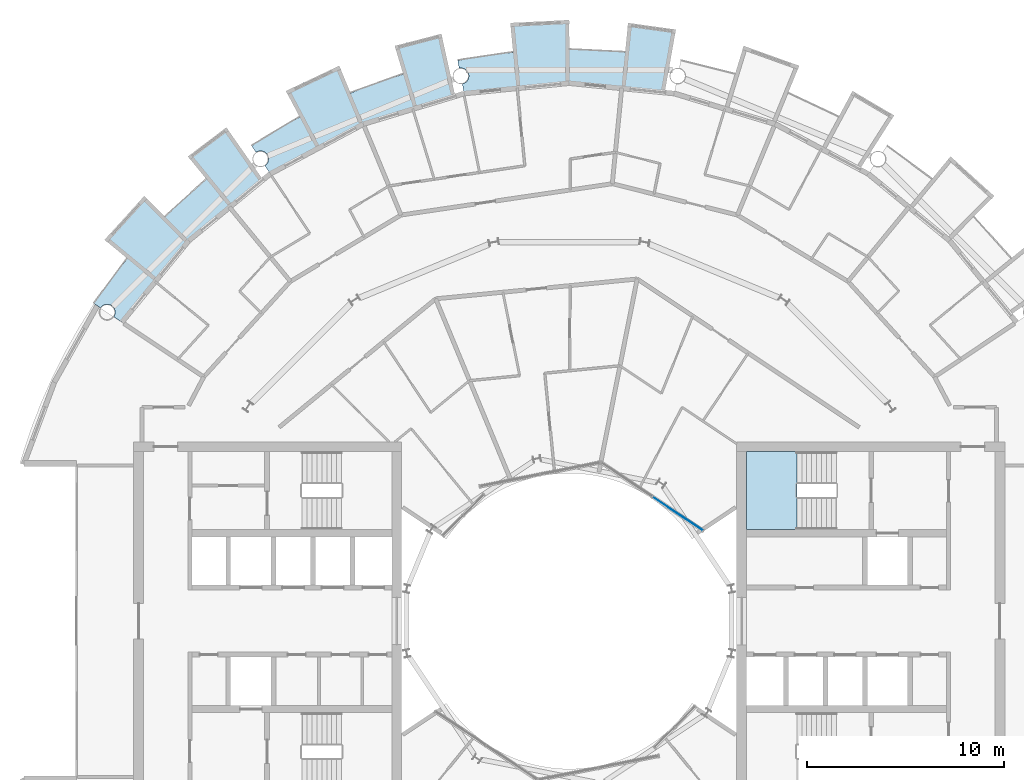
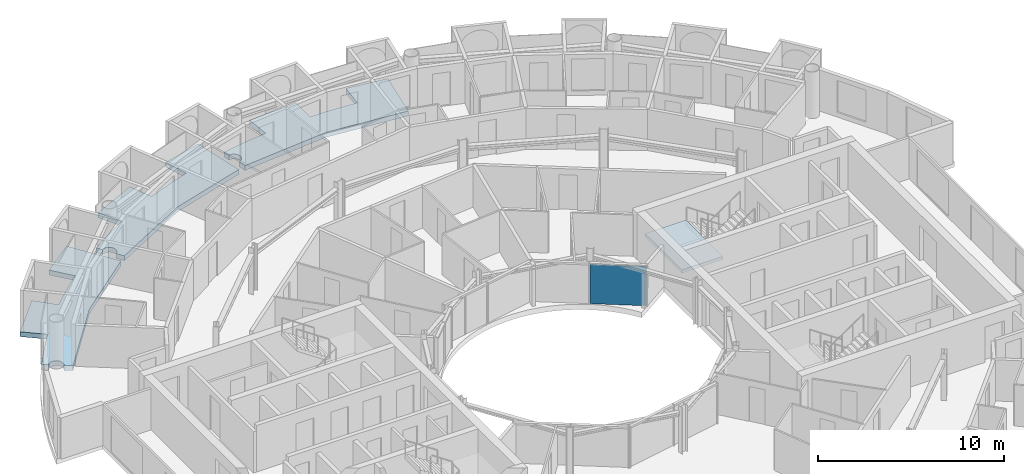
# One storey, part 12 of 27: 4 slabs, 1 plate, 2 elements without a shape of their own.
"""IFC4 building model written with IfcOpenShell, lengths in metres."""

from ifc_helpers import new_model, si_unit, direction, frame, origin, origin_2d, place, context, subcontext, project, spatial, polyline, rectangle, outline, extrude, material, layer, layer_set, type_object, element, aggregate, save


model = new_model("IFC4")

# Units and contexts
model_context = context("Model", 3, precision=1e-05, world=origin(), true_north=direction((0.0, 1.0)))
body_context = subcontext(model_context, "Body", "Model", "MODEL_VIEW")
ifc_project = project(units=[si_unit("LENGTHUNIT", "METRE"), si_unit("AREAUNIT", "SQUARE_METRE"), si_unit("VOLUMEUNIT", "CUBIC_METRE"), si_unit("PLANEANGLEUNIT", "RADIAN"), si_unit("MASSUNIT", "GRAM", prefix="KILO")], contexts=[model_context])

# Site, building, storey
site_placement = place(None, origin())
site = spatial("IfcSite", under=ifc_project, at=site_placement, CompositionType="ELEMENT")
building_placement = place(site_placement, origin())
building = spatial("IfcBuilding", under=site, at=building_placement, Name="Maasbend Ring Residences", CompositionType="ELEMENT")
storey_placement = place(building_placement, frame((0.0, 0.0, 145.199951171875)))
storey = spatial("IfcBuildingStorey", under=building, at=storey_placement, Name="L41", CompositionType="ELEMENT", Elevation=145.199951171875)

# Stair, slab
ifc_material_1 = material(Name="Concrete C40/50", Category="concrete")
stair_type = type_object("IfcStairType", Name="CORE STAIR 18 RISERS", PredefinedType="HALF_TURN_STAIR", material=ifc_material_1)
stair_placement = place(storey_placement, origin())
stair = element("IfcStair", 1, at=stair_placement, inside=storey, type_object=stair_type, Name="L41 Exit stair ST-E1", PredefinedType="HALF_TURN_STAIR")
ifc_material_2 = material(Name="Concrete C40/50", Category="concrete")
ifc_layer_1 = layer(ifc_material_2, 0.199951171875)
ifc_layer_set_1 = layer_set([ifc_layer_1], Name="Concrete C40/50")
slab_type_1 = type_object("IfcSlabType", Name="CORE STAIR LANDING 200", PredefinedType="LANDING", material=ifc_layer_set_1)
slab_1_placement = place(storey_placement, frame((0.0, 0.0, 1.324951171875)))
slab_1 = element("IfcSlab", 2, at=slab_1_placement, type_object=slab_type_1, Name="ST-E1 landing 1", PredefinedType="LANDING", context=body_context, shape_type="SweptSolid", body=[
    extrude(outline(polyline([(11.550048828125, 8.60009765625), (9.0, 8.60009765625), (9.0, 4.64990234375), (11.550048828125, 4.64990234375), (11.550048828125, 8.60009765625)])), origin(), (0.0, 0.0, 1.0), 0.2001953125),
])
aggregate(stair, [slab_1])

# Curtain wall, plate
ifc_material_3 = material(Name="Aluminium and clear glass", Category="aluminium")
ifc_layer_2 = layer(ifc_material_3, 0.179931640625)
ifc_layer_set_2 = layer_set([ifc_layer_2], Name="CW-W")
curtain_wall_type = type_object("IfcCurtainWallType", Name="CW-W", PredefinedType="NOTDEFINED", material=ifc_layer_set_2)
curtain_wall_placement = place(storey_placement, origin())
curtain_wall = element("IfcCurtainWall", 3, at=curtain_wall_placement, inside=storey, type_object=curtain_wall_type, Name="Well curtain wall N1", PredefinedType="NOTDEFINED")
ifc_material_4 = material(Name="Glass clear laminated", Category="glass")
ifc_layer_3 = layer(ifc_material_4, 0.031982421875)
ifc_layer_set_3 = layer_set([ifc_layer_3], Name="CWP-W")
plate_type = type_object("IfcPlateType", Name="CWP-W", PredefinedType="CURTAIN_PANEL", material=ifc_layer_set_3)
plate_placement = place(storey_placement, frame((5.51123046875, 5.44580078125, 0.0), z_axis=(0.0, 0.0, 1.0), x_axis=(-0.831469612303, 0.55557023302, 0.0)))
plate = element("IfcPlate", 4, at=plate_placement, type_object=plate_type, Name="Glass panel well face", PredefinedType="CURTAIN_PANEL", context=body_context, shape_type="SweptSolid", body=[
    extrude(rectangle(XDim=3.053955078125, YDim=0.031982421875, at=origin_2d()), origin(), (0.0, 0.0, 1.0), 2.580078125),
])
aggregate(curtain_wall, [plate])

# Slabs
ifc_material_5 = material(Name="Concrete C40/50", Category="concrete")
ifc_layer_4 = layer(ifc_material_5, 0.199951171875)
ifc_layer_set_4 = layer_set([ifc_layer_4], Name="Concrete C40/50")
slab_type_2 = type_object("IfcSlabType", Name="SL-LOGGIA", PredefinedType="FLOOR", material=ifc_layer_set_4)
slab_2_placement = place(storey_placement, frame((0.0, 0.0, -0.349853515625)))
element("IfcSlab", 5, at=slab_2_placement, inside=storey, type_object=slab_type_2, Name="Loggia floor 1", PredefinedType="FLOOR", context=body_context, shape_type="SweptSolid", body=[
    extrude(outline(polyline([(-14.5, 25.114990234375), (-13.6708984375, 25.574951171875), (-13.6708984375, 25.575927734375), (-13.6708984375, 25.575927734375), (-13.6708984375, 25.575927734375), (-13.6708984375, 25.575927734375), (-13.6708984375, 25.575927734375), (-13.6708984375, 25.575927734375), (-13.6708984375, 25.575927734375), (-13.6708984375, 25.575927734375), (-13.6708984375, 25.575927734375), (-13.6708984375, 25.575927734375), (-13.6708984375, 25.575927734375), (-13.6708984375, 25.575927734375), (-13.6708984375, 25.575927734375), (-13.6708984375, 25.575927734375), (-13.6708984375, 25.575927734375), (-13.6708984375, 25.575927734375), (-14.3779296875, 26.89892578125), (-14.3779296875, 26.89892578125), (-14.3779296875, 26.89892578125), (-11.672119140625, 28.177978515625), (-11.672119140625, 28.177978515625), (-11.672119140625, 28.177978515625), (-11.097900390625, 26.79296875), (-11.097900390625, 26.79296875), (-11.097900390625, 26.79296875), (-11.097900390625, 26.79296875), (-11.097900390625, 26.79296875), (-11.097900390625, 26.79296875), (-11.097900390625, 26.79296875), (-11.097900390625, 26.79296875), (-11.097900390625, 26.79296875), (-11.097900390625, 26.79296875), (-11.097900390625, 26.79296875), (-11.097900390625, 26.79296875), (-11.097900390625, 26.79296875), (-11.097900390625, 26.79296875), (-11.096923828125, 26.79296875), (-11.096923828125, 26.79296875), (-11.096923828125, 26.79296875), (-10.215087890625, 27.14111328125), (-10.215087890625, 27.14111328125), (-9.322021484375, 27.4609375), (-9.322021484375, 27.4609375), (-8.4189453125, 27.7509765625), (-8.4189453125, 27.7509765625), (-8.4189453125, 27.7509765625), (-8.4189453125, 27.7509765625), (-8.4189453125, 27.7509765625), (-8.4189453125, 27.7509765625), (-8.41796875, 27.7509765625), (-8.41796875, 27.7509765625), (-8.41796875, 27.7509765625), (-8.41796875, 27.7509765625), (-8.41796875, 27.7509765625), (-8.41796875, 27.751953125), (-8.41796875, 27.751953125), (-8.41796875, 27.751953125), (-8.41796875, 27.751953125), (-8.41796875, 27.751953125), (-8.41796875, 27.751953125), (-8.85400390625, 29.18701171875), (-8.85400390625, 29.18701171875), (-8.85400390625, 29.18701171875), (-6.487060546875, 29.802001953125), (-6.487060546875, 29.802001953125), (-6.487060546875, 29.802001953125), (-5.797119140625, 26.633056640625), (-5.797119140625, 26.633056640625), (-5.797119140625, 26.633056640625), (-7.886962890625, 25.9990234375), (-10.447021484375, 25.221923828125), (-10.447021484375, 25.221923828125), (-10.447021484375, 25.221923828125), (-12.806884765625, 23.9609375), (-15.1669921875, 22.698974609375), (-15.1669921875, 22.698974609375), (-15.1669921875, 22.698974609375), (-15.44091796875, 23.10888671875), (-15.43310546875, 23.114990234375), (-15.425048828125, 23.12109375), (-15.4169921875, 23.126953125), (-15.408935546875, 23.133056640625), (-15.402099609375, 23.139892578125), (-15.39404296875, 23.14599609375), (-15.386962890625, 23.153076171875), (-15.3798828125, 23.159912109375), (-15.373046875, 23.1669921875), (-15.365966796875, 23.174072265625), (-15.35888671875, 23.181884765625), (-15.35302734375, 23.18994140625), (-15.346923828125, 23.197021484375), (-15.341064453125, 23.205078125), (-15.3349609375, 23.212890625), (-15.3291015625, 23.221923828125), (-15.323974609375, 23.22998046875), (-15.318115234375, 23.238037109375), (-15.31298828125, 23.2470703125), (-15.30908203125, 23.256103515625), (-15.303955078125, 23.264892578125), (-15.300048828125, 23.27392578125), (-15.294921875, 23.282958984375), (-15.2919921875, 23.2919921875), (-15.2880859375, 23.301025390625), (-15.283935546875, 23.31005859375), (-15.281005859375, 23.320068359375), (-15.278076171875, 23.3291015625), (-15.27490234375, 23.339111328125), (-15.27294921875, 23.34912109375), (-15.27001953125, 23.35791015625), (-15.26806640625, 23.367919921875), (-15.26708984375, 23.3779296875), (-15.264892578125, 23.387939453125), (-15.263916015625, 23.39794921875), (-15.262939453125, 23.407958984375), (-15.261962890625, 23.4169921875), (-15.260986328125, 23.427001953125), (-15.260986328125, 23.43701171875), (-15.260986328125, 23.447021484375), (-15.260986328125, 23.45703125), (-15.260986328125, 23.467041015625), (-15.261962890625, 23.47705078125), (-15.262939453125, 23.487060546875), (-15.263916015625, 23.4970703125), (-15.264892578125, 23.507080078125), (-15.26708984375, 23.51708984375), (-15.26806640625, 23.527099609375), (-15.27001953125, 23.535888671875), (-15.27294921875, 23.5458984375), (-15.27490234375, 23.555908203125), (-15.278076171875, 23.56494140625), (-15.281005859375, 23.574951171875), (-15.283935546875, 23.583984375), (-15.2880859375, 23.593994140625), (-15.2919921875, 23.60302734375), (-15.294921875, 23.612060546875), (-15.300048828125, 23.62109375), (-15.303955078125, 23.6298828125), (-15.30908203125, 23.638916015625), (-15.31298828125, 23.64794921875), (-15.318115234375, 23.656005859375), (-15.323974609375, 23.6650390625), (-15.3291015625, 23.673095703125), (-15.3349609375, 23.680908203125), (-15.341064453125, 23.68994140625), (-15.346923828125, 23.697021484375), (-15.35302734375, 23.705078125), (-15.35888671875, 23.712890625), (-15.365966796875, 23.719970703125), (-15.373046875, 23.72802734375), (-15.3798828125, 23.735107421875), (-15.386962890625, 23.741943359375), (-15.39404296875, 23.7490234375), (-15.402099609375, 23.7548828125), (-15.408935546875, 23.761962890625), (-15.4169921875, 23.76806640625), (-15.425048828125, 23.77392578125), (-15.43310546875, 23.780029296875), (-15.44091796875, 23.784912109375), (-15.449951171875, 23.791015625), (-15.4580078125, 23.7958984375), (-15.467041015625, 23.801025390625), (-15.47509765625, 23.805908203125), (-15.48388671875, 23.81005859375), (-15.492919921875, 23.81494140625), (-15.501953125, 23.819091796875), (-15.511962890625, 23.822998046875), (-15.52099609375, 23.826904296875), (-15.530029296875, 23.830078125), (-15.5400390625, 23.8330078125), (-15.549072265625, 23.8359375), (-15.55908203125, 23.839111328125), (-15.568115234375, 23.842041015625), (-15.577880859375, 23.843994140625), (-15.587890625, 23.845947265625), (-15.597900390625, 23.847900390625), (-15.60693359375, 23.85009765625), (-15.616943359375, 23.85107421875), (-15.626953125, 23.85205078125), (-15.636962890625, 23.85302734375), (-15.64697265625, 23.85302734375), (-15.656982421875, 23.85400390625), (-15.6669921875, 23.85400390625), (-15.677001953125, 23.85400390625), (-15.68701171875, 23.85302734375), (-15.697021484375, 23.85302734375), (-15.70703125, 23.85205078125), (-15.717041015625, 23.85107421875), (-15.72705078125, 23.85009765625), (-15.737060546875, 23.847900390625), (-15.74609375, 23.845947265625), (-15.756103515625, 23.843994140625), (-15.76611328125, 23.842041015625), (-15.77587890625, 23.839111328125), (-15.784912109375, 23.8359375), (-15.794921875, 23.8330078125), (-15.803955078125, 23.830078125), (-15.81298828125, 23.826904296875), (-15.822998046875, 23.822998046875), (-15.83203125, 23.819091796875), (-15.841064453125, 23.81494140625), (-15.85009765625, 23.81005859375), (-15.85888671875, 23.805908203125), (-15.866943359375, 23.801025390625), (-15.8759765625, 23.7958984375), (-15.885009765625, 23.791015625), (-15.89306640625, 23.784912109375), (-16.112060546875, 24.113037109375), (-16.112060546875, 24.113037109375), (-16.112060546875, 24.113037109375), (-15.31396484375, 24.626953125), (-15.31396484375, 24.626953125), (-14.5, 25.114990234375), (-14.5, 25.114990234375)])), origin(), (0.0, 0.0, 1.0), 0.31982421875),
])
slab_3_placement = place(storey_placement, frame((0.0, 0.0, -0.349853515625)))
element("IfcSlab", 6, at=slab_3_placement, inside=storey, type_object=slab_type_2, Name="Loggia floor 3", PredefinedType="FLOOR", context=body_context, shape_type="SweptSolid", body=[
    extrude(outline(polyline([(-3.784912109375, 28.751953125), (-2.843017578125, 28.860107421875), (-2.843017578125, 28.860107421875), (-2.843017578125, 28.860107421875), (-2.843017578125, 28.860107421875), (-2.843017578125, 28.860107421875), (-2.843017578125, 28.860107421875), (-2.843017578125, 28.860107421875), (-2.843017578125, 28.860107421875), (-2.843017578125, 28.860107421875), (-2.843017578125, 28.861083984375), (-2.843017578125, 28.861083984375), (-2.843017578125, 28.861083984375), (-2.843017578125, 28.861083984375), (-2.843017578125, 28.861083984375), (-2.843017578125, 28.861083984375), (-2.843017578125, 28.861083984375), (-2.843017578125, 28.861083984375), (-2.989990234375, 30.35302734375), (-2.989990234375, 30.35302734375), (-2.989990234375, 30.35302734375), (0.0, 30.5), (0.0, 30.5), (0.0, 30.5), (0.0, 29.0), (0.0, 29.0), (0.0, 29.0), (0.0, 29.0), (0.0, 29.0), (0.0, 29.0), (0.0, 29.0), (0.0, 29.0), (0.0, 29.0), (0.0, 29.0), (0.0, 29.0), (0.0, 29.0), (0.0, 29.0), (0.0, 29.0), (0.0, 29.0), (0.0, 29.0), (0.0, 29.0), (0.948974609375, 28.98388671875), (0.948974609375, 28.98388671875), (1.89697265625, 28.93798828125), (1.89697265625, 28.93798828125), (2.842041015625, 28.860107421875), (2.842041015625, 28.860107421875), (2.842041015625, 28.860107421875), (2.842041015625, 28.860107421875), (2.842041015625, 28.860107421875), (2.842041015625, 28.860107421875), (2.842041015625, 28.860107421875), (2.842041015625, 28.860107421875), (2.842041015625, 28.861083984375), (2.842041015625, 28.861083984375), (2.842041015625, 28.861083984375), (2.842041015625, 28.861083984375), (2.842041015625, 28.861083984375), (2.843017578125, 28.861083984375), (2.843017578125, 28.861083984375), (2.843017578125, 28.861083984375), (2.843017578125, 28.861083984375), (2.989990234375, 30.35302734375), (2.989990234375, 30.35302734375), (2.989990234375, 30.35302734375), (5.412109375, 30.01611328125), (5.412109375, 30.01611328125), (5.412109375, 30.01611328125), (4.8359375, 26.823974609375), (4.8359375, 26.823974609375), (4.8359375, 26.823974609375), (2.6630859375, 27.0380859375), (0.0, 27.300048828125), (0.0, 27.300048828125), (0.0, 27.300048828125), (-2.6630859375, 27.0380859375), (-5.325927734375, 26.77490234375), (-5.325927734375, 26.77490234375), (-5.325927734375, 26.77490234375), (-5.422119140625, 27.259033203125), (-5.422119140625, 27.259033203125), (-5.412109375, 27.260986328125), (-5.403076171875, 27.263916015625), (-5.39306640625, 27.26611328125), (-5.383056640625, 27.26904296875), (-5.3740234375, 27.27197265625), (-5.364990234375, 27.27490234375), (-5.35498046875, 27.279052734375), (-5.345947265625, 27.282958984375), (-5.3369140625, 27.285888671875), (-5.327880859375, 27.291015625), (-5.319091796875, 27.294921875), (-5.31005859375, 27.300048828125), (-5.301025390625, 27.303955078125), (-5.29296875, 27.30908203125), (-5.283935546875, 27.31494140625), (-5.27587890625, 27.320068359375), (-5.26708984375, 27.325927734375), (-5.259033203125, 27.33203125), (-5.2509765625, 27.337890625), (-5.243896484375, 27.343994140625), (-5.236083984375, 27.35009765625), (-5.22900390625, 27.35693359375), (-5.220947265625, 27.364013671875), (-5.214111328125, 27.37109375), (-5.20703125, 27.3779296875), (-5.199951171875, 27.385009765625), (-5.194091796875, 27.39306640625), (-5.18701171875, 27.39990234375), (-5.180908203125, 27.407958984375), (-5.175048828125, 27.416015625), (-5.1689453125, 27.424072265625), (-5.1640625, 27.431884765625), (-5.157958984375, 27.44091796875), (-5.153076171875, 27.448974609375), (-5.14794921875, 27.4580078125), (-5.14306640625, 27.466064453125), (-5.137939453125, 27.47509765625), (-5.134033203125, 27.48388671875), (-5.1298828125, 27.492919921875), (-5.1259765625, 27.5029296875), (-5.1220703125, 27.511962890625), (-5.118896484375, 27.52099609375), (-5.115966796875, 27.531005859375), (-5.113037109375, 27.5400390625), (-5.110107421875, 27.550048828125), (-5.10693359375, 27.55908203125), (-5.10498046875, 27.569091796875), (-5.10302734375, 27.5791015625), (-5.10107421875, 27.589111328125), (-5.09912109375, 27.597900390625), (-5.097900390625, 27.60791015625), (-5.096923828125, 27.617919921875), (-5.095947265625, 27.6279296875), (-5.094970703125, 27.637939453125), (-5.094970703125, 27.64794921875), (-5.094970703125, 27.657958984375), (-5.094970703125, 27.66796875), (-5.094970703125, 27.677978515625), (-5.095947265625, 27.68798828125), (-5.096923828125, 27.697998046875), (-5.097900390625, 27.7080078125), (-5.09912109375, 27.718017578125), (-5.10107421875, 27.72802734375), (-5.10302734375, 27.737060546875), (-5.10498046875, 27.7470703125), (-5.10693359375, 27.757080078125), (-5.110107421875, 27.76708984375), (-5.113037109375, 27.77587890625), (-5.115966796875, 27.785888671875), (-5.118896484375, 27.794921875), (-5.1220703125, 27.803955078125), (-5.1259765625, 27.81396484375), (-5.1298828125, 27.822998046875), (-5.134033203125, 27.83203125), (-5.137939453125, 27.841064453125), (-5.14306640625, 27.85009765625), (-5.14794921875, 27.85791015625), (-5.153076171875, 27.866943359375), (-5.157958984375, 27.8759765625), (-5.1640625, 27.884033203125), (-5.1689453125, 27.89208984375), (-5.175048828125, 27.89990234375), (-5.180908203125, 27.907958984375), (-5.18701171875, 27.916015625), (-5.194091796875, 27.924072265625), (-5.199951171875, 27.930908203125), (-5.20703125, 27.93798828125), (-5.214111328125, 27.946044921875), (-5.220947265625, 27.952880859375), (-5.22900390625, 27.958984375), (-5.236083984375, 27.966064453125), (-5.243896484375, 27.971923828125), (-5.2509765625, 27.97900390625), (-5.259033203125, 27.985107421875), (-5.26708984375, 27.989990234375), (-5.27587890625, 27.99609375), (-5.283935546875, 28.001953125), (-5.29296875, 28.007080078125), (-5.301025390625, 28.011962890625), (-5.31005859375, 28.01708984375), (-5.319091796875, 28.02099609375), (-5.327880859375, 28.02587890625), (-5.3369140625, 28.030029296875), (-5.345947265625, 28.033935546875), (-5.35498046875, 28.037109375), (-5.364990234375, 28.041015625), (-5.3740234375, 28.0439453125), (-5.383056640625, 28.047119140625), (-5.39306640625, 28.050048828125), (-5.403076171875, 28.052001953125), (-5.412109375, 28.054931640625), (-5.422119140625, 28.056884765625), (-5.431884765625, 28.05908203125), (-5.44189453125, 28.06005859375), (-5.451904296875, 28.06201171875), (-5.4619140625, 28.06298828125), (-5.471923828125, 28.06298828125), (-5.48193359375, 28.06396484375), (-5.491943359375, 28.06396484375), (-5.501953125, 28.06494140625), (-5.510986328125, 28.06396484375), (-5.52099609375, 28.06396484375), (-5.531005859375, 28.06298828125), (-5.541015625, 28.06298828125), (-5.551025390625, 28.06201171875), (-5.56103515625, 28.06005859375), (-5.571044921875, 28.05908203125), (-5.5810546875, 28.056884765625), (-5.5810546875, 28.056884765625), (-5.657958984375, 28.443115234375), (-5.657958984375, 28.443115234375), (-5.657958984375, 28.443115234375), (-4.72412109375, 28.613037109375), (-4.72412109375, 28.613037109375), (-3.784912109375, 28.751953125), (-3.784912109375, 28.751953125)])), origin(), (0.0, 0.0, 1.0), 0.31982421875),
])
slab_4_placement = place(storey_placement, frame((0.0, 0.0, -0.349853515625)))
element("IfcSlab", 7, at=slab_4_placement, inside=storey, type_object=slab_type_2, Name="Loggia floor 4", PredefinedType="FLOOR", context=body_context, shape_type="SweptSolid", body=[
    extrude(outline(polyline([(-23.007080078125, 17.654052734375), (-22.41796875, 18.39697265625), (-22.41796875, 18.39697265625), (-22.41796875, 18.39697265625), (-22.41796875, 18.39697265625), (-22.41796875, 18.39697265625), (-22.41796875, 18.39697265625), (-22.41796875, 18.39697265625), (-22.41796875, 18.39697265625), (-22.41796875, 18.39697265625), (-22.41796875, 18.39697265625), (-22.41796875, 18.39697265625), (-22.41796875, 18.39794921875), (-22.41796875, 18.39794921875), (-22.41796875, 18.39794921875), (-22.41796875, 18.39794921875), (-22.41796875, 18.39794921875), (-22.41796875, 18.39794921875), (-23.576904296875, 19.34912109375), (-23.576904296875, 19.34912109375), (-23.576904296875, 19.34912109375), (-21.56689453125, 21.56689453125), (-21.56689453125, 21.56689453125), (-21.56689453125, 21.56689453125), (-20.506103515625, 20.506103515625), (-20.506103515625, 20.506103515625), (-20.506103515625, 20.506103515625), (-20.506103515625, 20.506103515625), (-20.506103515625, 20.506103515625), (-20.506103515625, 20.506103515625), (-20.506103515625, 20.506103515625), (-20.506103515625, 20.506103515625), (-20.506103515625, 20.506103515625), (-20.506103515625, 20.506103515625), (-20.506103515625, 20.506103515625), (-20.506103515625, 20.506103515625), (-20.506103515625, 20.506103515625), (-20.506103515625, 20.506103515625), (-20.506103515625, 20.506103515625), (-20.506103515625, 20.506103515625), (-20.506103515625, 20.506103515625), (-19.823974609375, 21.166015625), (-19.823974609375, 21.166015625), (-19.12109375, 21.802978515625), (-19.12109375, 21.802978515625), (-18.39794921875, 22.4169921875), (-18.39794921875, 22.4169921875), (-18.39794921875, 22.4169921875), (-18.39794921875, 22.4169921875), (-18.39794921875, 22.4169921875), (-18.39794921875, 22.4169921875), (-18.39794921875, 22.4169921875), (-18.39794921875, 22.4169921875), (-18.39794921875, 22.4169921875), (-18.39794921875, 22.4169921875), (-18.39794921875, 22.4169921875), (-18.39794921875, 22.4169921875), (-18.39794921875, 22.41796875), (-18.39794921875, 22.41796875), (-18.39794921875, 22.41796875), (-18.39794921875, 22.41796875), (-18.39794921875, 22.41796875), (-19.34912109375, 23.576904296875), (-19.34912109375, 23.576904296875), (-19.34912109375, 23.576904296875), (-17.39794921875, 25.051025390625), (-17.39794921875, 25.051025390625), (-17.39794921875, 25.051025390625), (-15.547119140625, 22.386962890625), (-15.547119140625, 22.386962890625), (-15.547119140625, 22.386962890625), (-17.236083984375, 21.001953125), (-19.303955078125, 19.303955078125), (-19.303955078125, 19.303955078125), (-19.303955078125, 19.303955078125), (-21.001953125, 17.236083984375), (-22.698974609375, 15.1669921875), (-22.698974609375, 15.1669921875), (-22.698974609375, 15.1669921875), (-23.10888671875, 15.44091796875), (-23.10888671875, 15.44091796875), (-23.10400390625, 15.449951171875), (-23.09912109375, 15.4580078125), (-23.093994140625, 15.467041015625), (-23.089111328125, 15.47509765625), (-23.083984375, 15.48388671875), (-23.080078125, 15.492919921875), (-23.075927734375, 15.501953125), (-23.072021484375, 15.511962890625), (-23.068115234375, 15.52099609375), (-23.06494140625, 15.530029296875), (-23.06103515625, 15.5400390625), (-23.05810546875, 15.549072265625), (-23.055908203125, 15.55908203125), (-23.052978515625, 15.568115234375), (-23.051025390625, 15.577880859375), (-23.049072265625, 15.587890625), (-23.047119140625, 15.597900390625), (-23.044921875, 15.60693359375), (-23.0439453125, 15.616943359375), (-23.04296875, 15.626953125), (-23.0419921875, 15.636962890625), (-23.041015625, 15.64697265625), (-23.041015625, 15.656982421875), (-23.041015625, 15.6669921875), (-23.041015625, 15.677001953125), (-23.041015625, 15.68701171875), (-23.0419921875, 15.697021484375), (-23.04296875, 15.70703125), (-23.0439453125, 15.717041015625), (-23.044921875, 15.72705078125), (-23.047119140625, 15.737060546875), (-23.049072265625, 15.74609375), (-23.051025390625, 15.756103515625), (-23.052978515625, 15.76611328125), (-23.055908203125, 15.77587890625), (-23.05810546875, 15.784912109375), (-23.06103515625, 15.794921875), (-23.06494140625, 15.803955078125), (-23.068115234375, 15.81298828125), (-23.072021484375, 15.822998046875), (-23.075927734375, 15.83203125), (-23.080078125, 15.841064453125), (-23.083984375, 15.85009765625), (-23.089111328125, 15.85888671875), (-23.093994140625, 15.866943359375), (-23.09912109375, 15.8759765625), (-23.10400390625, 15.885009765625), (-23.10888671875, 15.89306640625), (-23.114990234375, 15.90087890625), (-23.12109375, 15.908935546875), (-23.126953125, 15.9169921875), (-23.133056640625, 15.925048828125), (-23.139892578125, 15.93310546875), (-23.14599609375, 15.93994140625), (-23.153076171875, 15.947021484375), (-23.159912109375, 15.955078125), (-23.1669921875, 15.9619140625), (-23.174072265625, 15.968017578125), (-23.181884765625, 15.97509765625), (-23.18994140625, 15.98095703125), (-23.197021484375, 15.988037109375), (-23.205078125, 15.993896484375), (-23.212890625, 15.9990234375), (-23.221923828125, 16.0048828125), (-23.22998046875, 16.010986328125), (-23.238037109375, 16.01611328125), (-23.2470703125, 16.02099609375), (-23.256103515625, 16.02587890625), (-23.264892578125, 16.030029296875), (-23.27392578125, 16.034912109375), (-23.282958984375, 16.0390625), (-23.2919921875, 16.04296875), (-23.301025390625, 16.0458984375), (-23.31005859375, 16.050048828125), (-23.320068359375, 16.052978515625), (-23.3291015625, 16.055908203125), (-23.339111328125, 16.05908203125), (-23.34912109375, 16.06103515625), (-23.35791015625, 16.06396484375), (-23.367919921875, 16.06591796875), (-23.3779296875, 16.068115234375), (-23.387939453125, 16.069091796875), (-23.39794921875, 16.071044921875), (-23.407958984375, 16.072021484375), (-23.4169921875, 16.072021484375), (-23.427001953125, 16.072998046875), (-23.43701171875, 16.072998046875), (-23.447021484375, 16.073974609375), (-23.45703125, 16.072998046875), (-23.467041015625, 16.072998046875), (-23.47705078125, 16.072021484375), (-23.487060546875, 16.072021484375), (-23.4970703125, 16.071044921875), (-23.507080078125, 16.069091796875), (-23.51708984375, 16.068115234375), (-23.527099609375, 16.06591796875), (-23.535888671875, 16.06396484375), (-23.5458984375, 16.06103515625), (-23.555908203125, 16.05908203125), (-23.56494140625, 16.055908203125), (-23.574951171875, 16.052978515625), (-23.583984375, 16.050048828125), (-23.593994140625, 16.0458984375), (-23.60302734375, 16.04296875), (-23.612060546875, 16.0390625), (-23.62109375, 16.034912109375), (-23.6298828125, 16.030029296875), (-23.638916015625, 16.02587890625), (-23.64794921875, 16.02099609375), (-23.656005859375, 16.01611328125), (-23.6650390625, 16.010986328125), (-23.673095703125, 16.0048828125), (-23.680908203125, 15.9990234375), (-23.68994140625, 15.993896484375), (-23.697021484375, 15.988037109375), (-23.705078125, 15.98095703125), (-23.712890625, 15.97509765625), (-23.719970703125, 15.968017578125), (-23.72802734375, 15.9619140625), (-23.735107421875, 15.955078125), (-23.741943359375, 15.947021484375), (-23.7490234375, 15.93994140625), (-23.7548828125, 15.93310546875), (-23.761962890625, 15.925048828125), (-23.76806640625, 15.9169921875), (-23.77392578125, 15.908935546875), (-23.780029296875, 15.90087890625), (-23.784912109375, 15.89306640625), (-23.784912109375, 15.89306640625), (-24.113037109375, 16.112060546875), (-24.113037109375, 16.112060546875), (-24.113037109375, 16.112060546875), (-23.572998046875, 16.89208984375), (-23.572998046875, 16.89208984375), (-23.007080078125, 17.654052734375), (-23.007080078125, 17.654052734375)])), origin(), (0.0, 0.0, 1.0), 0.31982421875),
])

save(model, "model.ifc")
